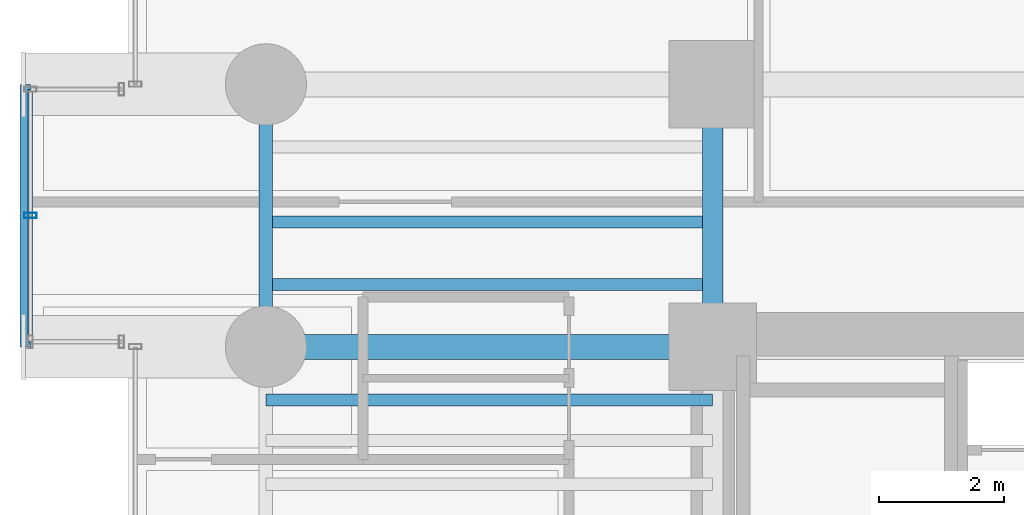
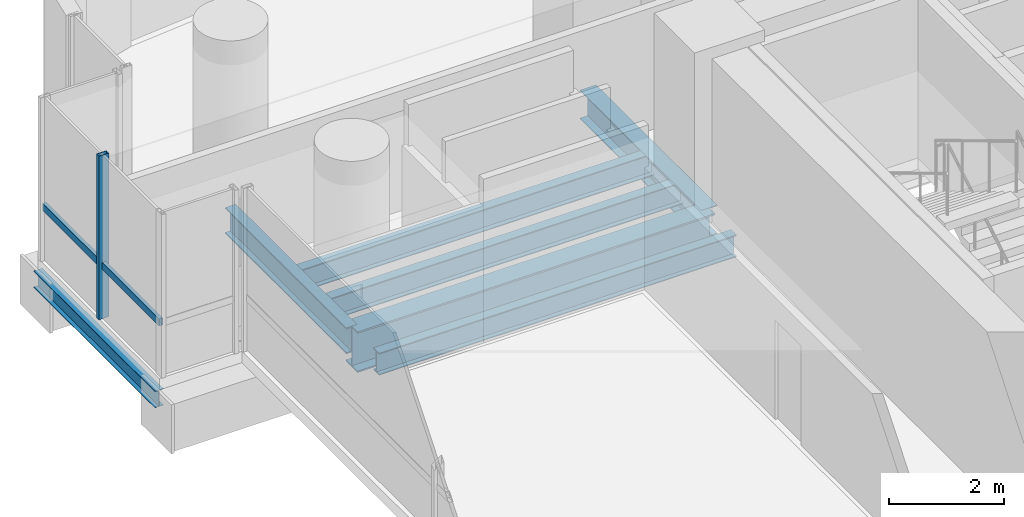
# One storey, part 11 of 40: 7 beams, 2 members, 1 element without a shape of its own.
"""IFC4 building model written with IfcOpenShell, lengths in metres."""

from ifc_helpers import new_model, si_unit, direction, frame, origin, origin_2d, place, context, subcontext, project, spatial, hollow_rectangle, i_section, extrude, source, transform, mapped, material, material_profile, profile_set, type_object, element, aggregate, save


model = new_model("IFC4")

# Units and contexts
model_context = context("Model", 3, precision=1e-05, world=origin(), true_north=direction((0.0, 1.0)))
body_context = subcontext(model_context, "Body", "Model", "MODEL_VIEW")
ifc_project = project(units=[si_unit("LENGTHUNIT", "METRE"), si_unit("AREAUNIT", "SQUARE_METRE"), si_unit("VOLUMEUNIT", "CUBIC_METRE"), si_unit("PLANEANGLEUNIT", "RADIAN"), si_unit("MASSUNIT", "GRAM", prefix="KILO")], contexts=[model_context])

# Site, building, storey
site_placement = place(None, origin())
site = spatial("IfcSite", under=ifc_project, at=site_placement, CompositionType="ELEMENT")
building_placement = place(site_placement, origin())
building = spatial("IfcBuilding", under=site, at=building_placement, Name="Valdorenza Pilgrim Sanctuary Tower", CompositionType="ELEMENT")
storey_placement = place(building_placement, frame((0.0, 0.0, 48.199951171875)))
storey = spatial("IfcBuildingStorey", under=building, at=storey_placement, Name="L11", CompositionType="ELEMENT", Elevation=48.199951171875)

# Beams
ifc_material_1 = material(Name="Steel ASTM A992 Grade 50", Category="steel")
ifc_material_profile_1 = material_profile(ifc_material_1, i_section(OverallWidth=0.214111328125, OverallDepth=0.549072265625, WebThickness=0.0146484375, FlangeThickness=0.023681640625, at=origin_2d()), Name="W21X93")
ifc_profile_set_1 = profile_set([ifc_material_profile_1], Name="Steel ASTM A992 Grade 50")
beam_type_1 = type_object("IfcBeamType", Name="STR-BM-SPN-W21A", PredefinedType="SPANDREL", material=ifc_profile_set_1)
shared_shape_1 = source(origin(), body_context, "Body", "SweptSolid", [
    extrude(i_section(OverallWidth=0.214111328125, OverallDepth=0.549072265625, WebThickness=0.0146484375, FlangeThickness=0.023681640625, at=origin_2d()), origin(), (0.0, 0.0, 1.0), 4.199951171875),
])
beam_1_placement = place(storey_placement, frame((-29.800048828125, 10.60009765625, -0.514404296875), z_axis=(0.0, 1.0, 0.0), x_axis=(-1.0, 0.0, 0.0)))
element("IfcBeam", 1, at=beam_1_placement, inside=storey, type_object=beam_type_1, Name="L11 Spandrel Beam WA-W-N1N2", PredefinedType="SPANDREL", context=body_context, shape_type="MappedRepresentation", body=[
    mapped(shared_shape_1, transform((0.0, 0.0, 0.0), x_axis=(1.0, 0.0, 0.0), y_axis=(0.0, 1.0, 0.0), z_axis=(0.0, 0.0, 1.0), scale=1.0)),
])
ifc_material_profile_2 = material_profile(ifc_material_1, i_section(OverallWidth=0.323974609375, OverallDepth=0.611083984375, WebThickness=0.0126953125, FlangeThickness=0.01904296875, at=origin_2d()), Name="W24X104")
ifc_profile_set_2 = profile_set([ifc_material_profile_2], Name="Steel ASTM A992 Grade 50")
beam_type_2 = type_object("IfcBeamType", Name="STR-BM-GRD-W24B", PredefinedType="BEAM", material=ifc_profile_set_2)
shared_shape_2 = source(origin(), body_context, "Body", "SweptSolid", [
    extrude(i_section(OverallWidth=0.323974609375, OverallDepth=0.611083984375, WebThickness=0.0126953125, FlangeThickness=0.01904296875, at=origin_2d()), origin(), (0.0, 0.0, 1.0), 4.199951171875),
])
beam_2_placement = place(storey_placement, frame((-22.64990234375, 10.60009765625, -0.54541015625), z_axis=(0.0, 1.0, 0.0), x_axis=(-1.0, 0.0, 0.0)))
element("IfcBeam", 2, at=beam_2_placement, inside=storey, type_object=beam_type_2, Name="L11 Core Tie Girder CA-W-N1N2", PredefinedType="BEAM", context=body_context, shape_type="MappedRepresentation", body=[
    mapped(shared_shape_2, transform((0.0, 0.0, 0.0), x_axis=(1.0, 0.0, 0.0), y_axis=(0.0, 1.0, 0.0), z_axis=(0.0, 0.0, 1.0), scale=1.0)),
])
ifc_material_profile_3 = material_profile(ifc_material_1, i_section(OverallWidth=0.193115234375, OverallDepth=0.466064453125, WebThickness=0.011474609375, FlangeThickness=0.01904296875, at=origin_2d()), Name="W18X65")
ifc_profile_set_3 = profile_set([ifc_material_profile_3], Name="Steel ASTM A992 Grade 50")
beam_type_3 = type_object("IfcBeamType", Name="STR-BM-JST-W18A", PredefinedType="JOIST", material=ifc_profile_set_3)
shared_shape_3 = source(origin(), body_context, "Body", "SweptSolid", [
    extrude(i_section(OverallWidth=0.193115234375, OverallDepth=0.466064453125, WebThickness=0.011474609375, FlangeThickness=0.01904296875, at=origin_2d()), origin(), (0.0, 0.0, 1.0), 7.150146484375),
])
for number, where, z_axis, x_axis, name in (
    (3, (-29.800048828125, 9.75, -0.472900390625), (1.0, 0.0, 0.0), (0.0, 1.0, 0.0), "L11 Composite Floor Joist JST-WA-23"),
    (4, (-29.800048828125, 11.60009765625, -0.472900390625), (1.0, 0.0, 0.0), (0.0, 1.0, 0.0), "L11 Composite Floor Joist JST-WA-24"),
    (5, (-29.800048828125, 12.60009765625, -0.472900390625), (1.0, 0.0, 0.0), (0.0, 1.0, 0.0), "L11 Composite Floor Joist JST-WA-25"),
):
    element("IfcBeam", number, at=place(storey_placement, frame(where, z_axis=z_axis, x_axis=x_axis)), inside=storey, type_object=beam_type_3, Name=name, PredefinedType="JOIST", context=body_context, shape_type="MappedRepresentation", body=[
        mapped(shared_shape_3, transform((0.0, 0.0, 0.0), x_axis=(1.0, 0.0, 0.0), y_axis=(0.0, 1.0, 0.0), z_axis=(0.0, 0.0, 1.0), scale=1.0)),
    ])
ifc_material_profile_4 = material_profile(ifc_material_1, i_section(OverallWidth=0.39990234375, OverallDepth=0.862060546875, WebThickness=0.019775390625, FlangeThickness=0.032470703125, at=origin_2d()), Name="W33X221")
ifc_profile_set_4 = profile_set([ifc_material_profile_4], Name="Steel ASTM A992 Grade 50")
beam_type_4 = type_object("IfcBeamType", Name="STR-BM-GRD-W33", PredefinedType="BEAM", material=ifc_profile_set_4)
shared_shape_4 = source(origin(), body_context, "Body", "SweptSolid", [
    extrude(i_section(OverallWidth=0.39990234375, OverallDepth=0.862060546875, WebThickness=0.019775390625, FlangeThickness=0.032470703125, at=origin_2d()), origin(), (0.0, 0.0, 1.0), 7.150146484375),
])
beam_3_placement = place(storey_placement, frame((-29.800048828125, 10.60009765625, -0.6708984375), z_axis=(1.0, 0.0, 0.0), x_axis=(0.0, 1.0, 0.0)))
element("IfcBeam", 6, at=beam_3_placement, inside=storey, type_object=beam_type_4, Name="L11 Floor Girder WA-XW-N1", PredefinedType="BEAM", context=body_context, shape_type="MappedRepresentation", body=[
    mapped(shared_shape_4, transform((0.0, 0.0, 0.0), x_axis=(1.0, 0.0, 0.0), y_axis=(0.0, 1.0, 0.0), z_axis=(0.0, 0.0, 1.0), scale=1.0)),
])
ifc_material_profile_5 = material_profile(ifc_material_1, i_section(OverallWidth=0.1708984375, OverallDepth=0.35107421875, WebThickness=0.0068359375, FlangeThickness=0.009765625, at=origin_2d()), Name="W14X30")
ifc_profile_set_5 = profile_set([ifc_material_profile_5], Name="Steel ASTM A992 Grade 50")
beam_type_5 = type_object("IfcBeamType", Name="STR-BM-BOX-W14", PredefinedType="BEAM", material=ifc_profile_set_5)
shared_shape_5 = source(origin(), body_context, "Body", "SweptSolid", [
    extrude(i_section(OverallWidth=0.1708984375, OverallDepth=0.35107421875, WebThickness=0.0068359375, FlangeThickness=0.009765625, at=origin_2d()), origin(), (0.0, 0.0, 1.0), 4.199951171875),
])
beam_4_placement = place(storey_placement, frame((-33.64990234375, 10.60009765625, -0.41552734375), z_axis=(0.0, 1.0, 0.0), x_axis=(-1.0, 0.0, 0.0)))
element("IfcBeam", 7, at=beam_4_placement, inside=storey, type_object=beam_type_5, Name="L11 Glass Box Edge Beam BOX-WA-L11-F", PredefinedType="BEAM", context=body_context, shape_type="MappedRepresentation", body=[
    mapped(shared_shape_5, transform((0.0, 0.0, 0.0), x_axis=(1.0, 0.0, 0.0), y_axis=(0.0, 1.0, 0.0), z_axis=(0.0, 0.0, 1.0), scale=1.0)),
])

# Curtain wall, members
ifc_material_2 = material(Name="Curtain-wall IGU glazing", Category="glass")
curtain_wall_type = type_object("IfcCurtainWallType", Name="CW-SYS-02", PredefinedType="NOTDEFINED", material=ifc_material_2)
curtain_wall_placement = place(storey_placement, origin())
curtain_wall = element("IfcCurtainWall", 8, at=curtain_wall_placement, inside=storey, type_object=curtain_wall_type, Name="L11 Curtain Wall CW-L11-BOX-WA-L11-F", PredefinedType="NOTDEFINED")
ifc_material_3 = material(Name="Anodised aluminium AW-6060", Category="aluminium")
ifc_material_profile_6 = material_profile(ifc_material_3, hollow_rectangle(XDim=0.0849609375, YDim=0.199951171875, WallThickness=0.0048828125, at=origin_2d()), Name="ALU-M 200x85x5")
ifc_profile_set_6 = profile_set([ifc_material_profile_6], Name="Anodised aluminium AW-6060")
member_type_1 = type_object("IfcMemberType", Name="CW-MUL-02", PredefinedType="MULLION", material=ifc_profile_set_6)
shared_shape_6 = source(origin(), body_context, "Body", "SweptSolid", [
    extrude(hollow_rectangle(XDim=0.0849609375, YDim=0.199951171875, WallThickness=0.0048828125, at=origin_2d()), origin(), (0.0, 0.0, 1.0), 3.4599609375),
])
member_1_placement = place(storey_placement, frame((-33.570068359375, 12.699951171875, 0.0), z_axis=(0.0, 0.0, 1.0), x_axis=(0.0, 1.0, 0.0)))
member_1 = element("IfcMember", 9, at=member_1_placement, type_object=member_type_1, Name="CW-L11-BOX-WA-L11-F Mullion 2", PredefinedType="MULLION", context=body_context, shape_type="MappedRepresentation", body=[
    mapped(shared_shape_6, transform((0.0, 0.0, 0.0), x_axis=(1.0, 0.0, 0.0), y_axis=(0.0, 1.0, 0.0), z_axis=(0.0, 0.0, 1.0), scale=1.0)),
])
ifc_material_profile_7 = material_profile(ifc_material_3, hollow_rectangle(XDim=0.074951171875, YDim=0.14990234375, WallThickness=0.00390625, at=origin_2d()), Name="ALU-T 150x75x4")
ifc_profile_set_7 = profile_set([ifc_material_profile_7], Name="Anodised aluminium AW-6060")
member_type_2 = type_object("IfcMemberType", Name="CW-TRN-02", PredefinedType="USERDEFINED", material=ifc_profile_set_7)
shared_shape_7 = source(origin(), body_context, "Body", "SweptSolid", [
    extrude(hollow_rectangle(XDim=0.074951171875, YDim=0.14990234375, WallThickness=0.00390625, at=origin_2d()), origin(), (0.0, 0.0, 1.0), 4.0400390625),
])
member_2_placement = place(storey_placement, frame((-33.570068359375, 10.679931640625, 1.1201171875), z_axis=(0.0, 1.0, 0.0), x_axis=(-1.0, 0.0, 0.0)))
member_2 = element("IfcMember", 10, at=member_2_placement, type_object=member_type_2, Name="CW-L11-BOX-WA-L11-F Transom 1", ObjectType="TRANSOM", PredefinedType="USERDEFINED", context=body_context, shape_type="MappedRepresentation", body=[
    mapped(shared_shape_7, transform((0.0, 0.0, 0.0), x_axis=(1.0, 0.0, 0.0), y_axis=(0.0, 1.0, 0.0), z_axis=(0.0, 0.0, 1.0), scale=1.0)),
])
aggregate(curtain_wall, [member_1, member_2])

save(model, "model.ifc")
